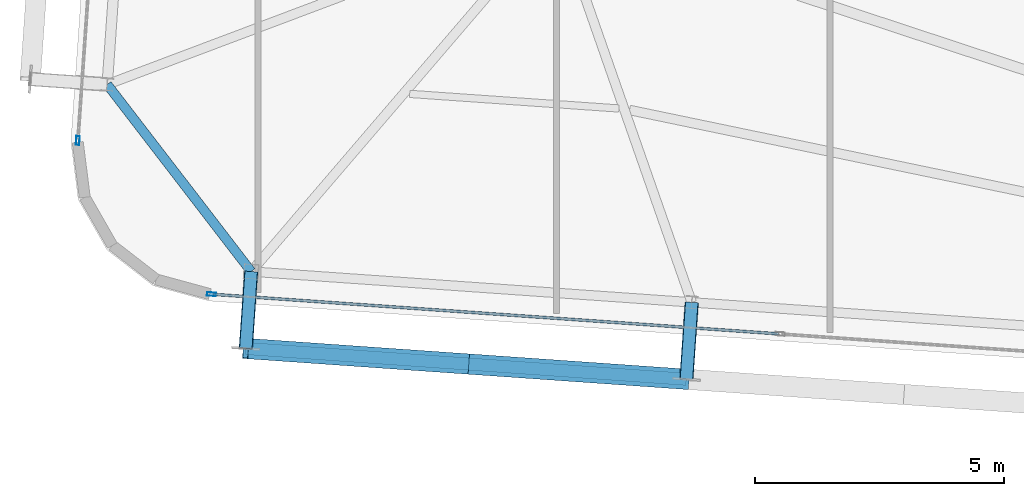
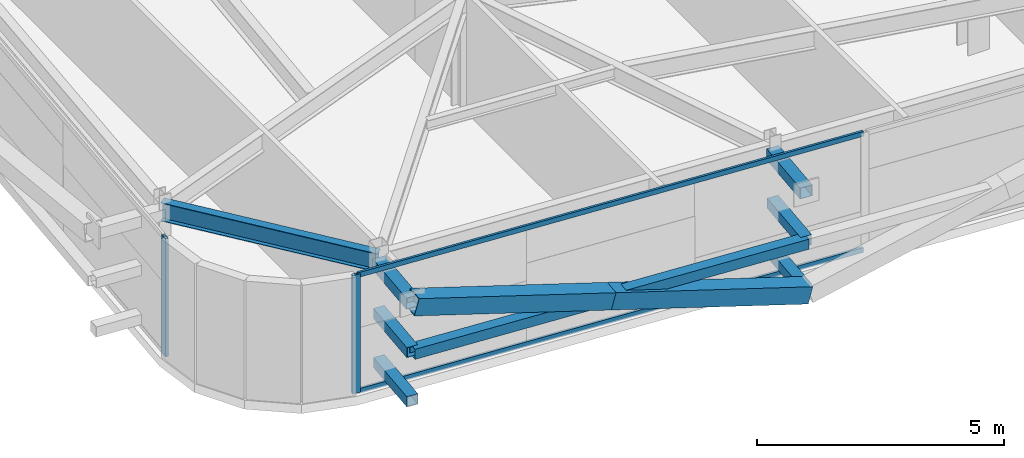
# One storey, part 6 of 39: 13 members, 1 beam, 2 elements without a shape of their own.
"""IFC4 building model written with IfcOpenShell, lengths in metres."""

from ifc_helpers import new_model, si_unit, direction, frame, origin, origin_2d, place, context, subcontext, project, spatial, hollow_rectangle, i_section, extrude, source, transform, mapped, material, layer, layer_set, material_profile, profile_set, type_object, element, aggregate, save


model = new_model("IFC4")

# Units and contexts
model_context = context("Model", 3, precision=1e-05, world=origin(), true_north=direction((0.0, 1.0)))
body_context = subcontext(model_context, "Body", "Model", "MODEL_VIEW")
ifc_project = project(units=[si_unit("LENGTHUNIT", "METRE"), si_unit("AREAUNIT", "SQUARE_METRE"), si_unit("VOLUMEUNIT", "CUBIC_METRE"), si_unit("PLANEANGLEUNIT", "RADIAN"), si_unit("MASSUNIT", "GRAM", prefix="KILO")], contexts=[model_context])

# Site, building, storey
site_placement = place(None, origin())
site = spatial("IfcSite", under=ifc_project, at=site_placement, CompositionType="ELEMENT")
building_placement = place(site_placement, origin())
building = spatial("IfcBuilding", under=site, at=building_placement, Name="Taldren Reach Tower", CompositionType="ELEMENT")
storey_placement = place(building_placement, frame((0.0, 0.0, 123.550048828125)))
storey = spatial("IfcBuildingStorey", under=building, at=storey_placement, Name="L37", CompositionType="ELEMENT", Elevation=123.550048828125)

# Members
ifc_material_1 = material(Name="Steel Gr 450 (C450L0)", Category="steel")
ifc_material_profile_1 = material_profile(ifc_material_1, hollow_rectangle(XDim=0.27490234375, YDim=0.27490234375, WallThickness=0.00927734375, at=origin_2d()), Name="275x275x9.3SHS")
ifc_profile_set_1 = profile_set([ifc_material_profile_1], Name="Steel Gr 450 (C450L0)")
member_type_1 = type_object("IfcMemberType", Name="MB-TIE273", PredefinedType="STRUT", material=ifc_profile_set_1)
shared_shape_1 = source(origin(), body_context, "Body", "SweptSolid", [
    extrude(hollow_rectangle(XDim=0.27490234375, YDim=0.27490234375, WallThickness=0.00927734375, at=origin_2d()), origin(), (0.0, 0.0, 1.0), 1.5498046875),
])
for number, where, z_axis, x_axis, name in (
    (1, (11.863525390625, 5.33837890625, 2.64990234375), (-0.069780535098, -0.997562367434, 0.0), (0.997562367434, -0.069780535098, 0.0), "Exoskeleton diaphragm tie strut B3-S1 L37"),
    (2, (20.721923828125, 4.718994140625, 2.64990234375), (-0.069780535098, -0.997562367434, 0.0), (0.997562367434, -0.069780535098, 0.0), "Exoskeleton diaphragm tie strut B3-S2 L37"),
):
    element("IfcMember", number, at=place(storey_placement, frame(where, z_axis=z_axis, x_axis=x_axis)), inside=storey, type_object=member_type_1, Name=name, PredefinedType="STRUT", context=body_context, shape_type="MappedRepresentation", body=[
        mapped(shared_shape_1, transform((0.0, 0.0, 0.0), scale=1.0)),
    ])
ifc_material_2 = material(Name="Steel Gr 350 (C350L0)", Category="steel")
ifc_material_profile_2 = material_profile(ifc_material_2, hollow_rectangle(XDim=0.25, YDim=0.25, WallThickness=0.010009765625, at=origin_2d()), Name="250x250x10.0SHS")
ifc_profile_set_2 = profile_set([ifc_material_profile_2], Name="Steel Gr 350 (C350L0)")
member_type_2 = type_object("IfcMemberType", Name="MB-POST250", PredefinedType="POST", material=ifc_profile_set_2)
shared_shape_2 = source(origin(), body_context, "Body", "SweptSolid", [
    extrude(hollow_rectangle(XDim=0.25, YDim=0.25, WallThickness=0.010009765625, at=origin_2d()), origin(), (0.0, 0.0, 1.0), 1.5498046875),
])
for number, where, z_axis, x_axis, name in (
    (3, (11.863525390625, 5.33837890625, 0.219970703125), (-0.069780535098, -0.997562367434, 0.0), (0.997562367434, -0.069780535098, 0.0), "Exoskeleton base diaphragm tie strut B3-S1 L37"),
    (4, (20.721923828125, 4.718994140625, 0.219970703125), (-0.069780535098, -0.997562367434, 0.0), (0.997562367434, -0.069780535098, 0.0), "Exoskeleton base diaphragm tie strut B3-S2 L37"),
    (5, (11.863525390625, 5.33837890625, 1.43505859375), (-0.069780535098, -0.997562367434, 0.0), (0.997562367434, -0.069780535098, 0.0), "Exoskeleton mid-tier diaphragm tie B3-S1 L37"),
    (6, (20.721923828125, 4.718994140625, 1.43505859375), (-0.069780535098, -0.997562367434, 0.0), (0.997562367434, -0.069780535098, 0.0), "Exoskeleton mid-tier diaphragm tie B3-S2 L37"),
):
    element("IfcMember", number, at=place(storey_placement, frame(where, z_axis=z_axis, x_axis=x_axis)), inside=storey, type_object=member_type_2, Name=name, PredefinedType="POST", context=body_context, shape_type="MappedRepresentation", body=[
        mapped(shared_shape_2, transform((0.0, 0.0, 0.0), scale=1.0)),
    ])

# Beam
ifc_material_3 = material(Name="Steel Gr 350 (350PLUS)", Category="steel")
ifc_material_profile_3 = material_profile(ifc_material_3, i_section(OverallWidth=0.18994140625, OverallDepth=0.4541015625, WebThickness=0.008544921875, FlangeThickness=0.0126953125, at=origin_2d()), Name="460UB67.1")
ifc_profile_set_3 = profile_set([ifc_material_profile_3], Name="Steel Gr 350 (350PLUS)")
beam_type = type_object("IfcBeamType", Name="SP-UB460B", PredefinedType="SPANDREL", material=ifc_profile_set_3)
shared_shape_3 = source(origin(), body_context, "Body", "SweptSolid", [
    extrude(i_section(OverallWidth=0.18994140625, OverallDepth=0.4541015625, WebThickness=0.008544921875, FlangeThickness=0.0126953125, at=origin_2d()), origin(), (0.0, 0.0, 1.0), 4.746337890625),
])
beam_placement = place(storey_placement, frame((8.96875, 9.099609375, 2.702880859375), z_axis=(0.609912099004, -0.792469072891, 0.0), x_axis=(0.792469072891, 0.609912099004, 0.0)))
element("IfcBeam", 7, at=beam_placement, inside=storey, type_object=beam_type, Name="Perimeter spandrel B3 W1-S1 L37", PredefinedType="SPANDREL", context=body_context, shape_type="MappedRepresentation", body=[
    mapped(shared_shape_3, transform((0.0, 0.0, 0.0), scale=1.0)),
])

# Members
shared_shape_4 = source(origin(), body_context, "Body", "SweptSolid", [
    extrude(hollow_rectangle(XDim=0.25, YDim=0.25, WallThickness=0.010009765625, at=origin_2d()), origin(), (0.0, 0.0, 1.0), 8.880126953125),
])
member_1_placement = place(storey_placement, frame((11.75537109375, 3.792236328125, 1.43505859375), z_axis=(0.997564479639, -0.069750333063, 0.0), x_axis=(0.069750333063, 0.997564479639, 0.0)))
element("IfcMember", 8, at=member_1_placement, inside=storey, type_object=member_type_2, Name="Exoskeleton mid-height ring chord B3-S1 L37", PredefinedType="POST", context=body_context, shape_type="MappedRepresentation", body=[
    mapped(shared_shape_4, transform((0.0, 0.0, 0.0), scale=1.0)),
])
ifc_material_profile_4 = material_profile(ifc_material_1, hollow_rectangle(XDim=0.409912109375, YDim=0.409912109375, WallThickness=0.01611328125, at=origin_2d()), Name="410x410x16.0SHS")
ifc_profile_set_4 = profile_set([ifc_material_profile_4], Name="Steel Gr 450 (C450L0)")
member_type_3 = type_object("IfcMemberType", Name="MB-EXO406", PredefinedType="BRACE", material=ifc_profile_set_4)
shared_shape_5 = source(origin(), body_context, "Body", "SweptSolid", [
    extrude(hollow_rectangle(XDim=0.409912109375, YDim=0.409912109375, WallThickness=0.01611328125, at=origin_2d()), origin(), (0.0, 0.0, 1.0), 4.603271484375),
])
for number, where, z_axis, x_axis, name in (
    (9, (20.61376953125, 3.1728515625, 0.219970703125), (-0.962185784239, 0.067250114343, 0.263962002434), (-0.069722973508, -0.997566392259, 0.0), "Exoskeleton Diagrid Brace B3-S1 L37"),
    (10, (16.1845703125, 3.482421875, 1.43505859375), (-0.962195820062, 0.067303852699, 0.263911718699), (-0.06977769246, -0.997562566276, 0.0), "Exoskeleton Diagrid Brace B3-S1 L37"),
):
    element("IfcMember", number, at=place(storey_placement, frame(where, z_axis=z_axis, x_axis=x_axis)), inside=storey, type_object=member_type_3, Name=name, PredefinedType="BRACE", context=body_context, shape_type="MappedRepresentation", body=[
        mapped(shared_shape_5, transform((0.0, 0.0, 0.0), scale=1.0)),
    ])

# Curtain wall, members
ifc_material_4 = material(Name="Aluminium and Low-E Glass Unitised System", Category="aluminium")
ifc_layer = layer(ifc_material_4, 0.159912109375)
ifc_layer_set = layer_set([ifc_layer], Name="Aluminium and Low-E Glass Unitised System")
curtain_wall_type = type_object("IfcCurtainWallType", Name="CW-SYS-4", PredefinedType="NOTDEFINED", material=ifc_layer_set)
curtain_wall_1_placement = place(storey_placement, origin())
curtain_wall_1 = element("IfcCurtainWall", 11, at=curtain_wall_1_placement, inside=storey, type_object=curtain_wall_type, Name="Unitised curtain wall CW-L37-S", PredefinedType="NOTDEFINED")
ifc_material_5 = material(Name="Anodised Aluminium 6063-T6", Category="aluminium")
ifc_material_profile_5 = material_profile(ifc_material_5, hollow_rectangle(XDim=0.054931640625, YDim=0.1201171875, WallThickness=0.0029296875, at=origin_2d()), Name="ALU-120x55x3RHS")
ifc_profile_set_5 = profile_set([ifc_material_profile_5], Name="Anodised Aluminium 6063-T6")
member_type_4 = type_object("IfcMemberType", Name="CW-TRN-135", PredefinedType="USERDEFINED", material=ifc_profile_set_5)
shared_shape_6 = source(origin(), body_context, "Body", "SweptSolid", [
    extrude(hollow_rectangle(XDim=0.054931640625, YDim=0.1201171875, WallThickness=0.0029296875, at=origin_2d()), origin(), (0.0, 0.0, 1.0), 11.39501953125),
])
member_2_placement = place(storey_placement, frame((11.099853515625, 4.880615234375, 0.02734375), z_axis=(0.997563740682, -0.069760900766, 0.0), x_axis=(0.069760900766, 0.997563740682, 0.0)))
member_2 = element("IfcMember", 12, at=member_2_placement, type_object=member_type_4, Name="CW-4 transom 1.1", ObjectType="TRANSOM", PredefinedType="USERDEFINED", context=body_context, shape_type="MappedRepresentation", body=[
    mapped(shared_shape_6, transform((0.0, 0.0, 0.0), scale=1.0)),
])
member_3_placement = place(storey_placement, frame((11.099853515625, 4.880615234375, 2.90234375), z_axis=(0.997563740682, -0.069760900766, 0.0), x_axis=(0.069760900766, 0.997563740682, 0.0)))
member_3 = element("IfcMember", 13, at=member_3_placement, type_object=member_type_4, Name="CW-4 transom 1.2", ObjectType="TRANSOM", PredefinedType="USERDEFINED", context=body_context, shape_type="MappedRepresentation", body=[
    mapped(shared_shape_6, transform((0.0, 0.0, 0.0), scale=1.0)),
])
ifc_material_profile_6 = material_profile(ifc_material_5, hollow_rectangle(XDim=0.070068359375, YDim=0.179931640625, WallThickness=0.00390625, at=origin_2d()), Name="ALU-180x70x4RHS")
ifc_profile_set_6 = profile_set([ifc_material_profile_6], Name="Anodised Aluminium 6063-T6")
member_type_5 = type_object("IfcMemberType", Name="CW-MUL-180", PredefinedType="MULLION", material=ifc_profile_set_6)
shared_shape_7 = source(origin(), body_context, "Body", "SweptSolid", [
    extrude(hollow_rectangle(XDim=0.070068359375, YDim=0.179931640625, WallThickness=0.00390625, at=origin_2d()), origin(), (0.0, 0.0, 1.0), 2.929931640625),
])
member_4_placement = place(storey_placement, frame((11.06494140625, 4.883056640625, 0.0), z_axis=(0.0, 0.0, 1.0), x_axis=(0.06975651593, 0.99756404731, 0.0)))
member_4 = element("IfcMember", 14, at=member_4_placement, type_object=member_type_5, Name="CW-4 mullion 1", PredefinedType="MULLION", context=body_context, shape_type="MappedRepresentation", body=[
    mapped(shared_shape_7, transform((0.0, 0.0, 0.0), scale=1.0)),
])
aggregate(curtain_wall_1, [member_4, member_2, member_3])

# Curtain wall, member
curtain_wall_2_placement = place(storey_placement, origin())
curtain_wall_2 = element("IfcCurtainWall", 15, at=curtain_wall_2_placement, inside=storey, type_object=curtain_wall_type, Name="Unitised curtain wall CW-L37-W", PredefinedType="NOTDEFINED")
member_5_placement = place(storey_placement, frame((8.37890625, 7.972900390625, 0.0), z_axis=(0.0, 0.0, 1.0), x_axis=(0.997564052812, -0.069756437251, 0.0)))
member_5 = element("IfcMember", 16, at=member_5_placement, type_object=member_type_5, Name="CW-4 mullion 3", PredefinedType="MULLION", context=body_context, shape_type="MappedRepresentation", body=[
    mapped(shared_shape_7, transform((0.0, 0.0, 0.0), scale=1.0)),
])
aggregate(curtain_wall_2, [member_5])

save(model, "model.ifc")
